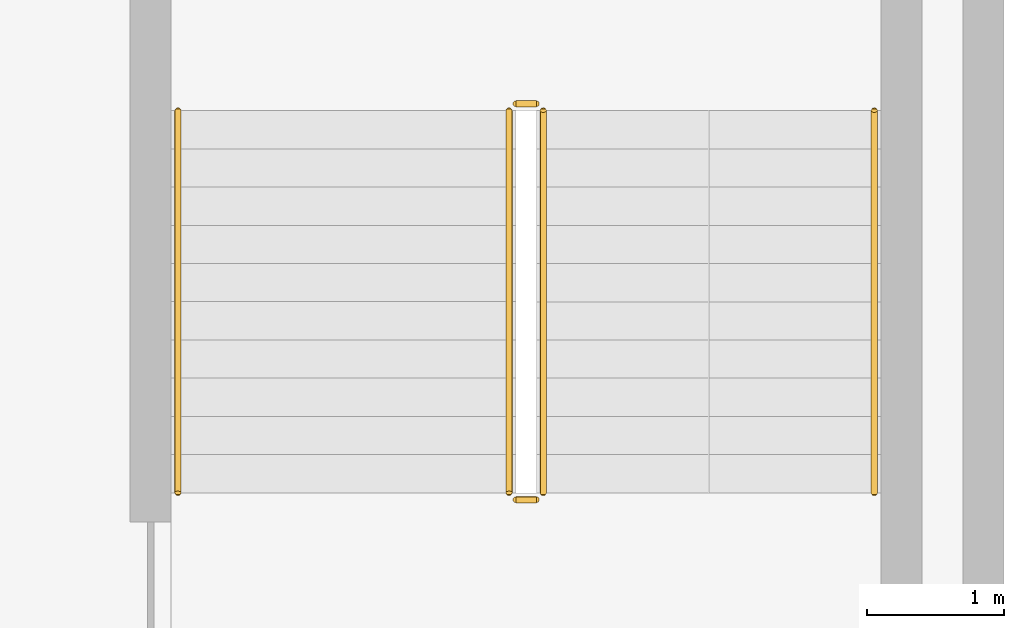
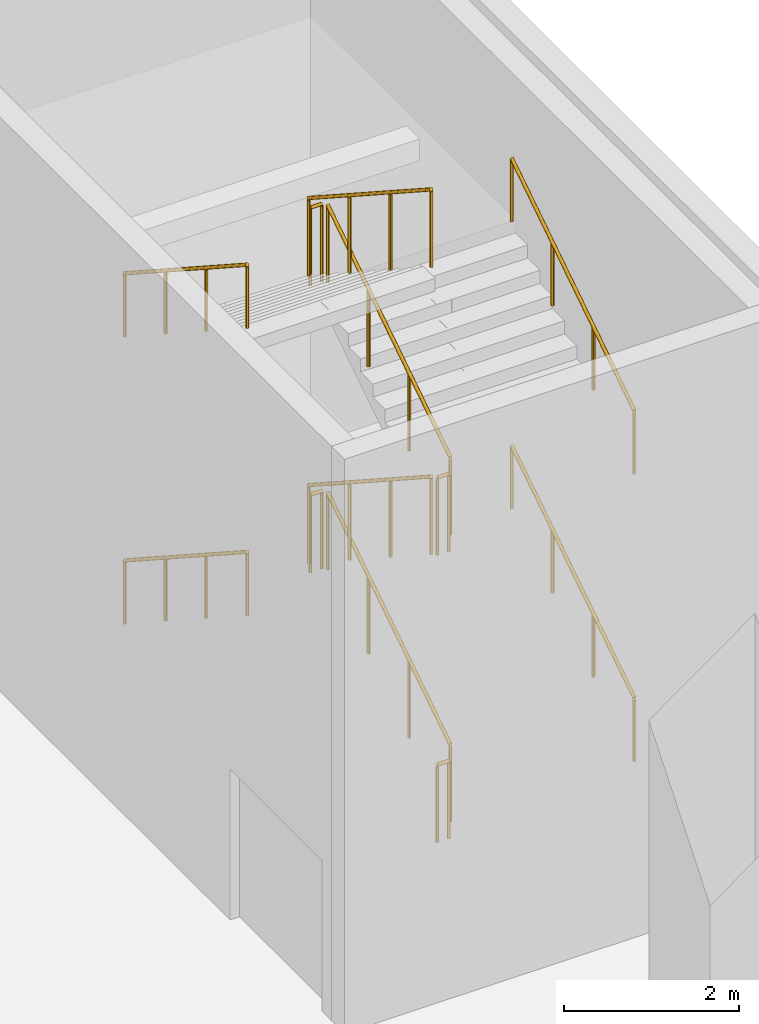
# One storey, part 24 of 27: 12 railings.
"""IFC4 building model written with IfcOpenShell, lengths in metres."""

from ifc_helpers import new_model, si_unit, direction, frame, origin, origin_2d, place, context, subcontext, project, spatial, circle, extrude, material, type_object, element, save


model = new_model("IFC4")

# Units and contexts
model_context = context("Model", 3, precision=1e-05, world=origin(), true_north=direction((0.0, 1.0)))
body_context = subcontext(model_context, "Body", "Model", "MODEL_VIEW")
ifc_project = project(units=[si_unit("LENGTHUNIT", "METRE"), si_unit("AREAUNIT", "SQUARE_METRE"), si_unit("VOLUMEUNIT", "CUBIC_METRE"), si_unit("PLANEANGLEUNIT", "RADIAN"), si_unit("MASSUNIT", "GRAM", prefix="KILO")], contexts=[model_context])

# Site, building, storey
site_placement = place(None, origin())
site = spatial("IfcSite", under=ifc_project, at=site_placement, CompositionType="ELEMENT")
building_placement = place(site_placement, origin())
building = spatial("IfcBuilding", under=site, at=building_placement, Name="Tel Ilan Convention Tower", CompositionType="ELEMENT")
storey_placement = place(building_placement, frame((0.0, 0.0, 18.0)))
storey = spatial("IfcBuildingStorey", under=building, at=storey_placement, Name="L02", CompositionType="ELEMENT", Elevation=18.0)

# Railings
ifc_material_1 = material(Name="Stainless Steel Grade 316", Category="steel")
railing_type_1 = type_object("IfcRailingType", Name="Stainless Steel Stair Guard 1100 mm", PredefinedType="GUARDRAIL", material=ifc_material_1)
railing_1_placement = place(storey_placement, frame((46.625, -40.47509765625, 0.181884765625)))
element("IfcRailing", 1, at=railing_1_placement, inside=storey, type_object=railing_type_1, Name="L02 P8 stair guard 1", PredefinedType="GUARDRAIL", context=body_context, shape_type="SweptSolid", body=[
    extrude(circle(Radius=0.02392578125, at=origin_2d()), frame((0.0, 0.0, 1.076171875), z_axis=(0.0, 0.838705829183, 0.544584733623), x_axis=(-1.0, 0.0, 0.0)), (0.0, 0.0, 1.0), 3.338623046875),
    extrude(circle(Radius=0.02099609375, at=origin_2d()), origin(), (0.0, 0.0, 1.0), 1.052001953125),
    extrude(circle(Radius=0.02099609375, at=origin_2d()), frame((0.0, 0.933349609375, 0.60595703125)), (0.0, 0.0, 1.0), 1.052001953125),
    extrude(circle(Radius=0.02099609375, at=origin_2d()), frame((0.0, 1.86669921875, 1.212158203125)), (0.0, 0.0, 1.0), 1.052001953125),
    extrude(circle(Radius=0.02099609375, at=origin_2d()), frame((0.0, 2.800048828125, 1.818115234375)), (0.0, 0.0, 1.0), 1.052001953125),
])
railing_2_placement = place(storey_placement, frame((46.574951171875, -37.625, 2.0)))
element("IfcRailing", 2, at=railing_2_placement, inside=storey, type_object=railing_type_1, Name="L02 P8 stair guard 2", PredefinedType="GUARDRAIL", context=body_context, shape_type="SweptSolid", body=[
    extrude(circle(Radius=0.02392578125, at=origin_2d()), frame((0.0, 0.0, 1.076171875), z_axis=(-1.0, 0.0, 0.0), x_axis=(0.0, -1.0, 0.0)), (0.0, 0.0, 1.0), 0.14990234375),
    extrude(circle(Radius=0.02099609375, at=origin_2d()), origin(), (0.0, 0.0, 1.0), 1.052001953125),
    extrude(circle(Radius=0.02099609375, at=origin_2d()), frame((-0.14990234375, 0.0, 0.0)), (0.0, 0.0, 1.0), 1.052001953125),
])
railing_3_placement = place(storey_placement, frame((46.375, -37.675048828125, 2.181884765625)))
element("IfcRailing", 3, at=railing_3_placement, inside=storey, type_object=railing_type_1, Name="L02 P8 stair guard 3", PredefinedType="GUARDRAIL", context=body_context, shape_type="SweptSolid", body=[
    extrude(circle(Radius=0.02392578125, at=origin_2d()), frame((0.0, 0.0, 1.076171875), z_axis=(0.0, -0.838705829183, 0.544584733623), x_axis=(1.0, 0.0, 0.0)), (0.0, 0.0, 1.0), 3.338623046875),
    extrude(circle(Radius=0.02099609375, at=origin_2d()), origin(), (0.0, 0.0, 1.0), 1.052001953125),
    extrude(circle(Radius=0.02099609375, at=origin_2d()), frame((0.0, -0.933349609375, 0.60595703125)), (0.0, 0.0, 1.0), 1.052001953125),
    extrude(circle(Radius=0.02099609375, at=origin_2d()), frame((0.0, -1.86669921875, 1.212158203125)), (0.0, 0.0, 1.0), 1.052001953125),
    extrude(circle(Radius=0.02099609375, at=origin_2d()), frame((0.0, -2.800048828125, 1.818115234375)), (0.0, 0.0, 1.0), 1.052001953125),
])
railing_4_placement = place(storey_placement, frame((46.574951171875, -40.52490234375, 4.0)))
element("IfcRailing", 4, at=railing_4_placement, inside=storey, type_object=railing_type_1, Name="L02 P8 stair guard 4", PredefinedType="GUARDRAIL", context=body_context, shape_type="SweptSolid", body=[
    extrude(circle(Radius=0.02392578125, at=origin_2d()), frame((0.0, 0.0, 1.076171875), z_axis=(-1.0, 0.0, 0.0), x_axis=(0.0, -1.0, 0.0)), (0.0, 0.0, 1.0), 0.14990234375),
    extrude(circle(Radius=0.02099609375, at=origin_2d()), origin(), (0.0, 0.0, 1.0), 1.052001953125),
    extrude(circle(Radius=0.02099609375, at=origin_2d()), frame((-0.14990234375, 0.0, 0.0)), (0.0, 0.0, 1.0), 1.052001953125),
])
railing_5_placement = place(storey_placement, frame((46.625, -40.47509765625, 4.181884765625)))
element("IfcRailing", 5, at=railing_5_placement, inside=storey, type_object=railing_type_1, Name="L02 P8 stair guard 5", PredefinedType="GUARDRAIL", context=body_context, shape_type="SweptSolid", body=[
    extrude(circle(Radius=0.02392578125, at=origin_2d()), frame((0.0, 0.0, 1.076171875), z_axis=(0.0, 0.838705829183, 0.544584733623), x_axis=(-1.0, 0.0, 0.0)), (0.0, 0.0, 1.0), 3.338623046875),
    extrude(circle(Radius=0.02099609375, at=origin_2d()), origin(), (0.0, 0.0, 1.0), 1.052001953125),
    extrude(circle(Radius=0.02099609375, at=origin_2d()), frame((0.0, 0.933349609375, 0.60595703125)), (0.0, 0.0, 1.0), 1.052001953125),
    extrude(circle(Radius=0.02099609375, at=origin_2d()), frame((0.0, 1.86669921875, 1.212158203125)), (0.0, 0.0, 1.0), 1.052001953125),
    extrude(circle(Radius=0.02099609375, at=origin_2d()), frame((0.0, 2.800048828125, 1.818115234375)), (0.0, 0.0, 1.0), 1.052001953125),
])
railing_6_placement = place(storey_placement, frame((46.574951171875, -37.625, 6.0)))
element("IfcRailing", 6, at=railing_6_placement, inside=storey, type_object=railing_type_1, Name="L02 P8 stair guard 6", PredefinedType="GUARDRAIL", context=body_context, shape_type="SweptSolid", body=[
    extrude(circle(Radius=0.02392578125, at=origin_2d()), frame((0.0, 0.0, 1.076171875), z_axis=(-1.0, 0.0, 0.0), x_axis=(0.0, -1.0, 0.0)), (0.0, 0.0, 1.0), 0.14990234375),
    extrude(circle(Radius=0.02099609375, at=origin_2d()), origin(), (0.0, 0.0, 1.0), 1.052001953125),
    extrude(circle(Radius=0.02099609375, at=origin_2d()), frame((-0.14990234375, 0.0, 0.0)), (0.0, 0.0, 1.0), 1.052001953125),
])
railing_7_placement = place(storey_placement, frame((46.375, -37.675048828125, 6.181884765625)))
element("IfcRailing", 7, at=railing_7_placement, inside=storey, type_object=railing_type_1, Name="L02 P8 stair guard 7", PredefinedType="GUARDRAIL", context=body_context, shape_type="SweptSolid", body=[
    extrude(circle(Radius=0.02392578125, at=origin_2d()), frame((0.0, 0.0, 1.076171875), z_axis=(0.0, -0.838705829183, 0.544584733623), x_axis=(1.0, 0.0, 0.0)), (0.0, 0.0, 1.0), 3.338623046875),
    extrude(circle(Radius=0.02099609375, at=origin_2d()), origin(), (0.0, 0.0, 1.0), 1.052001953125),
    extrude(circle(Radius=0.02099609375, at=origin_2d()), frame((0.0, -0.933349609375, 0.60595703125)), (0.0, 0.0, 1.0), 1.052001953125),
    extrude(circle(Radius=0.02099609375, at=origin_2d()), frame((0.0, -1.86669921875, 1.212158203125)), (0.0, 0.0, 1.0), 1.052001953125),
    extrude(circle(Radius=0.02099609375, at=origin_2d()), frame((0.0, -2.800048828125, 1.818115234375)), (0.0, 0.0, 1.0), 1.052001953125),
])
railing_8_placement = place(storey_placement, frame((46.574951171875, -40.52490234375, 0.0)))
element("IfcRailing", 8, at=railing_8_placement, inside=storey, type_object=railing_type_1, Name="L02 P8 stair guard 8", PredefinedType="GUARDRAIL", context=body_context, shape_type="SweptSolid", body=[
    extrude(circle(Radius=0.02392578125, at=origin_2d()), frame((0.0, 0.0, 1.076171875), z_axis=(-1.0, 0.0, 0.0), x_axis=(0.0, -1.0, 0.0)), (0.0, 0.0, 1.0), 0.14990234375),
    extrude(circle(Radius=0.02099609375, at=origin_2d()), origin(), (0.0, 0.0, 1.0), 1.052001953125),
    extrude(circle(Radius=0.02099609375, at=origin_2d()), frame((-0.14990234375, 0.0, 0.0)), (0.0, 0.0, 1.0), 1.052001953125),
])
ifc_material_2 = material(Name="Stainless Steel Grade 316", Category="steel")
railing_type_2 = type_object("IfcRailingType", Name="Stainless Steel Stair Handrail 900 mm", PredefinedType="HANDRAIL", material=ifc_material_2)
railing_9_placement = place(storey_placement, frame((49.050048828125, -40.47509765625, 0.181884765625)))
element("IfcRailing", 9, at=railing_9_placement, inside=storey, type_object=railing_type_2, Name="L02 P8 stair handrail 1", PredefinedType="HANDRAIL", context=body_context, shape_type="SweptSolid", body=[
    extrude(circle(Radius=0.02392578125, at=origin_2d()), frame((0.0, 0.0, 0.8759765625), z_axis=(0.0, 0.838705829183, 0.544584733623), x_axis=(-1.0, 0.0, 0.0)), (0.0, 0.0, 1.0), 3.338623046875),
    extrude(circle(Radius=0.02099609375, at=origin_2d()), origin(), (0.0, 0.0, 1.0), 0.851806640625),
    extrude(circle(Radius=0.02099609375, at=origin_2d()), frame((0.0, 0.933349609375, 0.60595703125)), (0.0, 0.0, 1.0), 0.851806640625),
    extrude(circle(Radius=0.02099609375, at=origin_2d()), frame((0.0, 1.86669921875, 1.212158203125)), (0.0, 0.0, 1.0), 0.851806640625),
    extrude(circle(Radius=0.02099609375, at=origin_2d()), frame((0.0, 2.800048828125, 1.818115234375)), (0.0, 0.0, 1.0), 0.851806640625),
])
railing_10_placement = place(storey_placement, frame((43.949951171875, -37.675048828125, 2.181884765625)))
element("IfcRailing", 10, at=railing_10_placement, inside=storey, type_object=railing_type_2, Name="L02 P8 stair handrail 2", PredefinedType="HANDRAIL", context=body_context, shape_type="SweptSolid", body=[
    extrude(circle(Radius=0.02392578125, at=origin_2d()), frame((0.0, 0.0, 0.8759765625), z_axis=(0.0, -0.838705829183, 0.544584733623), x_axis=(1.0, 0.0, 0.0)), (0.0, 0.0, 1.0), 3.338623046875),
    extrude(circle(Radius=0.02099609375, at=origin_2d()), origin(), (0.0, 0.0, 1.0), 0.851806640625),
    extrude(circle(Radius=0.02099609375, at=origin_2d()), frame((0.0, -0.933349609375, 0.60595703125)), (0.0, 0.0, 1.0), 0.851806640625),
    extrude(circle(Radius=0.02099609375, at=origin_2d()), frame((0.0, -1.86669921875, 1.212158203125)), (0.0, 0.0, 1.0), 0.851806640625),
    extrude(circle(Radius=0.02099609375, at=origin_2d()), frame((0.0, -2.800048828125, 1.818115234375)), (0.0, 0.0, 1.0), 0.851806640625),
])
railing_11_placement = place(storey_placement, frame((49.050048828125, -40.47509765625, 4.181884765625)))
element("IfcRailing", 11, at=railing_11_placement, inside=storey, type_object=railing_type_2, Name="L02 P8 stair handrail 3", PredefinedType="HANDRAIL", context=body_context, shape_type="SweptSolid", body=[
    extrude(circle(Radius=0.02392578125, at=origin_2d()), frame((0.0, 0.0, 0.8759765625), z_axis=(0.0, 0.838705829183, 0.544584733623), x_axis=(-1.0, 0.0, 0.0)), (0.0, 0.0, 1.0), 3.338623046875),
    extrude(circle(Radius=0.02099609375, at=origin_2d()), origin(), (0.0, 0.0, 1.0), 0.851806640625),
    extrude(circle(Radius=0.02099609375, at=origin_2d()), frame((0.0, 0.933349609375, 0.60595703125)), (0.0, 0.0, 1.0), 0.851806640625),
    extrude(circle(Radius=0.02099609375, at=origin_2d()), frame((0.0, 1.86669921875, 1.212158203125)), (0.0, 0.0, 1.0), 0.851806640625),
    extrude(circle(Radius=0.02099609375, at=origin_2d()), frame((0.0, 2.800048828125, 1.818115234375)), (0.0, 0.0, 1.0), 0.851806640625),
])
railing_12_placement = place(storey_placement, frame((43.949951171875, -37.675048828125, 6.181884765625)))
element("IfcRailing", 12, at=railing_12_placement, inside=storey, type_object=railing_type_2, Name="L02 P8 stair handrail 4", PredefinedType="HANDRAIL", context=body_context, shape_type="SweptSolid", body=[
    extrude(circle(Radius=0.02392578125, at=origin_2d()), frame((0.0, 0.0, 0.8759765625), z_axis=(0.0, -0.838705829183, 0.544584733623), x_axis=(1.0, 0.0, 0.0)), (0.0, 0.0, 1.0), 3.338623046875),
    extrude(circle(Radius=0.02099609375, at=origin_2d()), origin(), (0.0, 0.0, 1.0), 0.851806640625),
    extrude(circle(Radius=0.02099609375, at=origin_2d()), frame((0.0, -0.933349609375, 0.60595703125)), (0.0, 0.0, 1.0), 0.851806640625),
    extrude(circle(Radius=0.02099609375, at=origin_2d()), frame((0.0, -1.86669921875, 1.212158203125)), (0.0, 0.0, 1.0), 0.851806640625),
    extrude(circle(Radius=0.02099609375, at=origin_2d()), frame((0.0, -2.800048828125, 1.818115234375)), (0.0, 0.0, 1.0), 0.851806640625),
])

save(model, "model.ifc")
